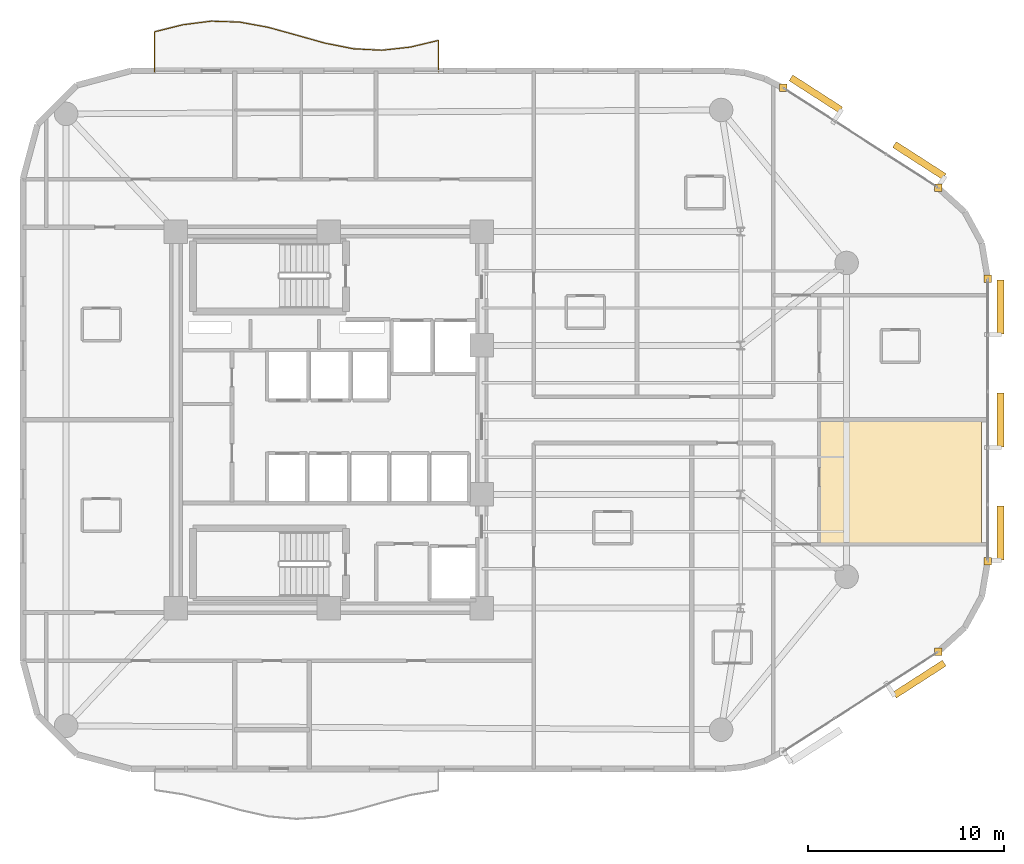
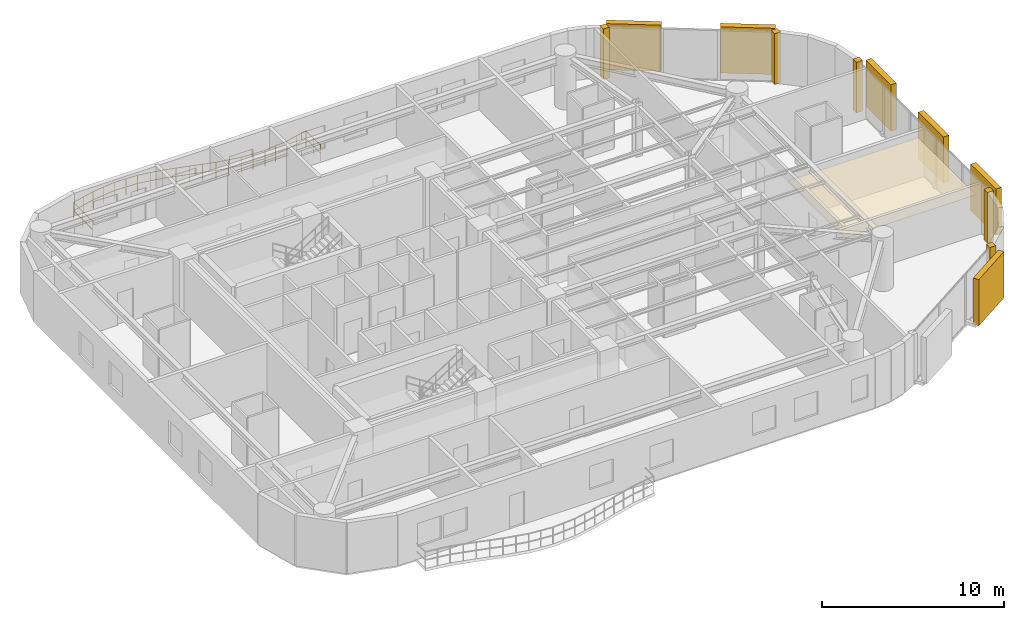
# One storey, part 15 of 15: 6 coverings, 6 shading devices, 1 railing.
"""IFC4 building model written with IfcOpenShell, lengths in metres."""

from ifc_helpers import new_model, si_unit, direction, frame, origin, origin_2d, place, context, subcontext, project, spatial, polyline, rectangle, circle, outline, extrude, material, layer, layer_set, type_object, element, save


model = new_model("IFC4")

# Units and contexts
model_context = context("Model", 3, precision=1e-05, world=origin(), true_north=direction((0.0, 1.0)))
body_context = subcontext(model_context, "Body", "Model", "MODEL_VIEW")
ifc_project = project(units=[si_unit("LENGTHUNIT", "METRE"), si_unit("AREAUNIT", "SQUARE_METRE"), si_unit("VOLUMEUNIT", "CUBIC_METRE"), si_unit("PLANEANGLEUNIT", "RADIAN"), si_unit("MASSUNIT", "GRAM", prefix="KILO")], contexts=[model_context])

# Site, building, storey
site_placement = place(None, origin())
site = spatial("IfcSite", under=ifc_project, at=site_placement, CompositionType="ELEMENT")
building_placement = place(site_placement, origin())
building = spatial("IfcBuilding", under=site, at=building_placement, Name="An Khanh Terracotta Commons", CompositionType="ELEMENT")
storey_placement = place(building_placement, frame((0.0, 0.0, 143.800048828125)))
storey = spatial("IfcBuildingStorey", under=building, at=storey_placement, Name="L37", CompositionType="ELEMENT", Elevation=143.800048828125)

# Coverings
ifc_material_1 = material(Name="Perforated Mineral-Fibre Acoustic Tile")
ifc_layer_1 = layer(ifc_material_1, 0.02001953125, Name="Perforated Mineral-Fibre Acoustic Tile")
ifc_layer_set_1 = layer_set([ifc_layer_1], Name="Perforated Mineral-Fibre Acoustic Tile")
covering_type_1 = type_object("IfcCoveringType", Name="CEIL-ACOUSTIC-18", PredefinedType="CEILING", material=ifc_layer_set_1)
covering_placement = place(storey_placement, frame((0.0, 0.0, 2.64990234375)))
element("IfcCovering", 1, at=covering_placement, inside=storey, type_object=covering_type_1, Name="L37 Riverfront Study Lounge Ceiling", PredefinedType="CEILING", context=body_context, shape_type="SweptSolid", body=[
    extrude(outline(polyline([(62.679931640625, 17.64990234375), (54.39990234375, 17.64990234375), (54.39990234375, 22.820068359375), (54.39990234375, 24.0), (62.679931640625, 24.0), (62.679931640625, 17.64990234375)])), origin(), (0.0, 0.0, 1.0), 0.02001953125),
])
ifc_material_2 = material(Name="Fired Terracotta Rainscreen Cladding", Category="masonry")
ifc_layer_2 = layer(ifc_material_2, 0.080078125, Name="Fired Terracotta Rainscreen Cladding")
ifc_layer_set_2 = layer_set([ifc_layer_2], Name="Fired Terracotta Rainscreen Cladding")
covering_type_2 = type_object("IfcCoveringType", Name="COV-JAMB-TERRA", PredefinedType="CLADDING", material=ifc_layer_set_2)
for number, where, z_axis, x_axis, name in (
    (2, (60.47802734375, 12.176025390625, 0.0), (0.0, 0.0, 1.0), (1.0, 0.0, 0.0), "L37 CW-03 Curtain-Wall Jamb Closure JB"),
    (3, (63.0, 16.800048828125, 0.0), (0.0, 0.0, 1.0), (1.0, 0.0, 0.0), "L37 CW-03 Curtain-Wall Jamb Closure JA"),
    (4, (63.0, 31.199951171875, 0.0), (0.0, 0.0, 1.0), (1.0, 0.0, 0.0), "L37 CW-03 Curtain-Wall Jamb Closure JB"),
    (5, (60.47802734375, 35.823974609375, 0.0), (0.0, 0.0, 1.0), (1.0, 0.0, 0.0), "L37 CW-03 Curtain-Wall Jamb Closure JA"),
    (6, (52.56005859375, 40.924072265625, 0.0), (0.0, 0.0, 1.0), (1.0, 0.0, 0.0), "L37 CW-03 Curtain-Wall Jamb Closure JB"),
):
    element("IfcCovering", number, at=place(storey_placement, frame(where, z_axis=z_axis, x_axis=x_axis)), inside=storey, type_object=covering_type_2, Name=name, PredefinedType="CLADDING", context=body_context, shape_type="SweptSolid", body=[
        extrude(rectangle(XDim=0.3798828125, YDim=0.3798828125, at=origin_2d()), origin(), (0.0, 0.0, 1.0), 3.39990234375),
    ])

# Railing
ifc_material_3 = material(Name="Brushed Stainless Steel 316", Category="steel")
railing_type = type_object("IfcRailingType", Name="RAIL-BALUSTRADE-1100", PredefinedType="BALUSTRADE", material=ifc_material_3)
railing_placement = place(storey_placement, frame((35.0, 41.739990234375, 0.0)))
element("IfcRailing", 7, at=railing_placement, inside=storey, type_object=railing_type, Name="L37 N Wave Balcony Guard Balustrade", PredefinedType="BALUSTRADE", context=body_context, shape_type="SweptSolid", body=[
    extrude(circle(Radius=0.02392578125, at=origin_2d()), frame((0.0, 0.0, 1.076171875), z_axis=(0.0, 1.0, 0.0), x_axis=(-1.0, 0.0, 0.0)), (0.0, 0.0, 1.0), 1.609130859375),
    extrude(circle(Radius=0.02392578125, at=origin_2d()), frame((0.0, 0.0, 0.52587890625), z_axis=(0.0, 1.0, 0.0), x_axis=(-1.0, 0.0, 0.0)), (0.0, 0.0, 1.0), 1.609130859375),
    extrude(circle(Radius=0.02392578125, at=origin_2d()), frame((0.0, 1.609130859375, 1.076171875), z_axis=(-0.972807972168, -0.231613145756, 0.0), x_axis=(0.231613145756, -0.972807972168, 0.0)), (0.0, 0.0, 1.0), 1.490478515625),
    extrude(circle(Radius=0.02392578125, at=origin_2d()), frame((0.0, 1.609130859375, 0.52587890625), z_axis=(-0.972807972168, -0.231613145756, 0.0), x_axis=(0.231613145756, -0.972807972168, 0.0)), (0.0, 0.0, 1.0), 1.490478515625),
    extrude(circle(Radius=0.02392578125, at=origin_2d()), frame((-1.449951171875, 1.263916015625, 1.076171875), z_axis=(-0.993973210964, -0.10962324519, 0.0), x_axis=(0.10962324519, -0.993973210964, 0.0)), (0.0, 0.0, 1.0), 1.458740234375),
    extrude(circle(Radius=0.02392578125, at=origin_2d()), frame((-1.449951171875, 1.263916015625, 0.52587890625), z_axis=(-0.993973210964, -0.10962324519, 0.0), x_axis=(0.10962324519, -0.993973210964, 0.0)), (0.0, 0.0, 1.0), 1.458740234375),
    extrude(circle(Radius=0.02392578125, at=origin_2d()), frame((-2.89990234375, 1.10400390625, 1.076171875), z_axis=(-0.998632188876, 0.052285288003, 0.0), x_axis=(-0.052285288003, -0.998632188876, 0.0)), (0.0, 0.0, 1.0), 1.4521484375),
    extrude(circle(Radius=0.02392578125, at=origin_2d()), frame((-2.89990234375, 1.10400390625, 0.52587890625), z_axis=(-0.998632188876, 0.052285288003, 0.0), x_axis=(-0.052285288003, -0.998632188876, 0.0)), (0.0, 0.0, 1.0), 1.4521484375),
    extrude(circle(Radius=0.02392578125, at=origin_2d()), frame((-4.35009765625, 1.179931640625, 1.076171875), z_axis=(-0.98095369717, 0.194241715419, 0.0), x_axis=(-0.194241715419, -0.98095369717, 0.0)), (0.0, 0.0, 1.0), 1.47802734375),
    extrude(circle(Radius=0.02392578125, at=origin_2d()), frame((-4.35009765625, 1.179931640625, 0.52587890625), z_axis=(-0.98095369717, 0.194241715419, 0.0), x_axis=(-0.194241715419, -0.98095369717, 0.0)), (0.0, 0.0, 1.0), 1.47802734375),
    extrude(circle(Radius=0.02392578125, at=origin_2d()), frame((-5.800048828125, 1.467041015625, 1.076171875), z_axis=(-0.96262321196, 0.270844146689, 0.0), x_axis=(-0.270844146689, -0.96262321196, 0.0)), (0.0, 0.0, 1.0), 1.50634765625),
    extrude(circle(Radius=0.02392578125, at=origin_2d()), frame((-5.800048828125, 1.467041015625, 0.52587890625), z_axis=(-0.96262321196, 0.270844146689, 0.0), x_axis=(-0.270844146689, -0.96262321196, 0.0)), (0.0, 0.0, 1.0), 1.50634765625),
    extrude(circle(Radius=0.02392578125, at=origin_2d()), frame((-7.25, 1.875, 1.076171875), z_axis=(-0.964006965361, 0.265876984216, 0.0), x_axis=(-0.265876984216, -0.964006965361, 0.0)), (0.0, 0.0, 1.0), 1.504150390625),
    extrude(circle(Radius=0.02392578125, at=origin_2d()), frame((-7.25, 1.875, 0.52587890625), z_axis=(-0.964006965361, 0.265876984216, 0.0), x_axis=(-0.265876984216, -0.964006965361, 0.0)), (0.0, 0.0, 1.0), 1.504150390625),
    extrude(circle(Radius=0.02392578125, at=origin_2d()), frame((-8.699951171875, 2.27490234375, 1.076171875), z_axis=(-0.983571778756, 0.180517467393, 0.0), x_axis=(-0.180517467393, -0.983571778756, 0.0)), (0.0, 0.0, 1.0), 1.47412109375),
    extrude(circle(Radius=0.02392578125, at=origin_2d()), frame((-8.699951171875, 2.27490234375, 0.52587890625), z_axis=(-0.983571778756, 0.180517467393, 0.0), x_axis=(-0.180517467393, -0.983571778756, 0.0)), (0.0, 0.0, 1.0), 1.47412109375),
    extrude(circle(Radius=0.02392578125, at=origin_2d()), frame((-10.14990234375, 2.541015625, 1.076171875), z_axis=(-0.999450495211, 0.033146758848, 0.0), x_axis=(-0.033146758848, -0.999450495211, 0.0)), (0.0, 0.0, 1.0), 1.450927734375),
    extrude(circle(Radius=0.02392578125, at=origin_2d()), frame((-10.14990234375, 2.541015625, 0.52587890625), z_axis=(-0.999450495211, 0.033146758848, 0.0), x_axis=(-0.033146758848, -0.999450495211, 0.0)), (0.0, 0.0, 1.0), 1.450927734375),
    extrude(circle(Radius=0.02392578125, at=origin_2d()), frame((-11.60009765625, 2.589111328125, 1.076171875), z_axis=(-0.991953350316, -0.126603913039, 0.0), x_axis=(0.126603913039, -0.991953350316, 0.0)), (0.0, 0.0, 1.0), 1.461669921875),
    extrude(circle(Radius=0.02392578125, at=origin_2d()), frame((-11.60009765625, 2.589111328125, 0.52587890625), z_axis=(-0.991953350316, -0.126603913039, 0.0), x_axis=(0.126603913039, -0.991953350316, 0.0)), (0.0, 0.0, 1.0), 1.461669921875),
    extrude(circle(Radius=0.02392578125, at=origin_2d()), frame((-13.050048828125, 2.404052734375, 1.076171875), z_axis=(-0.970516232323, -0.241035770782, 0.0), x_axis=(0.241035770782, -0.970516232323, 0.0)), (0.0, 0.0, 1.0), 1.493896484375),
    extrude(circle(Radius=0.02392578125, at=origin_2d()), frame((-13.050048828125, 2.404052734375, 0.52587890625), z_axis=(-0.970516232323, -0.241035770782, 0.0), x_axis=(0.241035770782, -0.970516232323, 0.0)), (0.0, 0.0, 1.0), 1.493896484375),
    extrude(circle(Radius=0.02392578125, at=origin_2d()), frame((-14.5, 2.0439453125, 1.076171875), z_axis=(0.0, -1.0, 0.0), x_axis=(1.0, 0.0, 0.0)), (0.0, 0.0, 1.0), 2.0439453125),
    extrude(circle(Radius=0.02392578125, at=origin_2d()), frame((-14.5, 2.0439453125, 0.52587890625), z_axis=(0.0, -1.0, 0.0), x_axis=(1.0, 0.0, 0.0)), (0.0, 0.0, 1.0), 2.0439453125),
    extrude(circle(Radius=0.02099609375, at=origin_2d()), origin(), (0.0, 0.0, 1.0), 1.052001953125),
    extrude(circle(Radius=0.02099609375, at=origin_2d()), frame((0.0, 0.8046875, 0.0)), (0.0, 0.0, 1.0), 1.052001953125),
    extrude(circle(Radius=0.02099609375, at=origin_2d()), frame((0.0, 1.609130859375, 0.0)), (0.0, 0.0, 1.0), 1.052001953125),
    extrude(circle(Radius=0.02099609375, at=origin_2d()), frame((-0.72509765625, 1.4365234375, 0.0)), (0.0, 0.0, 1.0), 1.052001953125),
    extrude(circle(Radius=0.02099609375, at=origin_2d()), frame((-1.449951171875, 1.263916015625, 0.0)), (0.0, 0.0, 1.0), 1.052001953125),
    extrude(circle(Radius=0.02099609375, at=origin_2d()), frame((-2.1748046875, 1.18408203125, 0.0)), (0.0, 0.0, 1.0), 1.052001953125),
    extrude(circle(Radius=0.02099609375, at=origin_2d()), frame((-2.89990234375, 1.10400390625, 0.0)), (0.0, 0.0, 1.0), 1.052001953125),
    extrude(circle(Radius=0.02099609375, at=origin_2d()), frame((-3.625, 1.14208984375, 0.0)), (0.0, 0.0, 1.0), 1.052001953125),
    extrude(circle(Radius=0.02099609375, at=origin_2d()), frame((-4.35009765625, 1.179931640625, 0.0)), (0.0, 0.0, 1.0), 1.052001953125),
    extrude(circle(Radius=0.02099609375, at=origin_2d()), frame((-5.0751953125, 1.323486328125, 0.0)), (0.0, 0.0, 1.0), 1.052001953125),
    extrude(circle(Radius=0.02099609375, at=origin_2d()), frame((-5.800048828125, 1.467041015625, 0.0)), (0.0, 0.0, 1.0), 1.052001953125),
    extrude(circle(Radius=0.02099609375, at=origin_2d()), frame((-6.52490234375, 1.6708984375, 0.0)), (0.0, 0.0, 1.0), 1.052001953125),
    extrude(circle(Radius=0.02099609375, at=origin_2d()), frame((-7.25, 1.875, 0.0)), (0.0, 0.0, 1.0), 1.052001953125),
    extrude(circle(Radius=0.02099609375, at=origin_2d()), frame((-7.97509765625, 2.074951171875, 0.0)), (0.0, 0.0, 1.0), 1.052001953125),
    extrude(circle(Radius=0.02099609375, at=origin_2d()), frame((-8.699951171875, 2.27490234375, 0.0)), (0.0, 0.0, 1.0), 1.052001953125),
    extrude(circle(Radius=0.02099609375, at=origin_2d()), frame((-9.4248046875, 2.407958984375, 0.0)), (0.0, 0.0, 1.0), 1.052001953125),
    extrude(circle(Radius=0.02099609375, at=origin_2d()), frame((-10.14990234375, 2.541015625, 0.0)), (0.0, 0.0, 1.0), 1.052001953125),
    extrude(circle(Radius=0.02099609375, at=origin_2d()), frame((-10.875, 2.56494140625, 0.0)), (0.0, 0.0, 1.0), 1.052001953125),
    extrude(circle(Radius=0.02099609375, at=origin_2d()), frame((-11.60009765625, 2.589111328125, 0.0)), (0.0, 0.0, 1.0), 1.052001953125),
    extrude(circle(Radius=0.02099609375, at=origin_2d()), frame((-12.3251953125, 2.49658203125, 0.0)), (0.0, 0.0, 1.0), 1.052001953125),
    extrude(circle(Radius=0.02099609375, at=origin_2d()), frame((-13.050048828125, 2.404052734375, 0.0)), (0.0, 0.0, 1.0), 1.052001953125),
    extrude(circle(Radius=0.02099609375, at=origin_2d()), frame((-13.77490234375, 2.22412109375, 0.0)), (0.0, 0.0, 1.0), 1.052001953125),
    extrude(circle(Radius=0.02099609375, at=origin_2d()), frame((-14.5, 2.0439453125, 0.0)), (0.0, 0.0, 1.0), 1.052001953125),
    extrude(circle(Radius=0.02099609375, at=origin_2d()), frame((-14.5, 1.02197265625, 0.0)), (0.0, 0.0, 1.0), 1.052001953125),
    extrude(circle(Radius=0.02099609375, at=origin_2d()), frame((-14.5, 0.0, 0.0)), (0.0, 0.0, 1.0), 1.052001953125),
])

# Shading devices
ifc_material_4 = material(Name="Extruded Fired Terracotta", Category="masonry")
shading_device_type = type_object("IfcShadingDeviceType", Name="Terracotta Baguette Screen Assembly", PredefinedType="USERDEFINED", material=ifc_material_4)
shading_device_placement = place(storey_placement, frame((59.510009765625, 10.780029296875, 0.14990234375), z_axis=(0.0, 0.0, 1.0), x_axis=(0.840702081986, 0.541497931062, 0.0)))
element("IfcShadingDevice", 8, at=shading_device_placement, inside=storey, type_object=shading_device_type, Name="L37 Terracotta Baguette Screen 3", ObjectType="BAGUETTE", PredefinedType="USERDEFINED", context=body_context, shape_type="SweptSolid", body=[
    extrude(rectangle(XDim=3.01904296875, YDim=0.35009765625, at=origin_2d()), origin(), (0.0, 0.0, 1.0), 3.10009765625),
])
for number, where, z_axis, x_axis, name in (
    (9, (63.64990234375, 18.239990234375, 0.14990234375), (0.0, 0.0, 1.0), (0.0, 1.0, 0.0), "L37 Terracotta Baguette Screen 1"),
    (10, (63.64990234375, 24.0, 0.14990234375), (0.0, 0.0, 1.0), (0.0, 1.0, 0.0), "L37 Terracotta Baguette Screen 3"),
    (11, (63.64990234375, 29.760009765625, 0.14990234375), (0.0, 0.0, 1.0), (0.0, 1.0, 0.0), "L37 Terracotta Baguette Screen 5"),
):
    element("IfcShadingDevice", number, at=place(storey_placement, frame(where, z_axis=z_axis, x_axis=x_axis)), inside=storey, type_object=shading_device_type, Name=name, ObjectType="BAGUETTE", PredefinedType="USERDEFINED", context=body_context, shape_type="SweptSolid", body=[
        extrude(rectangle(XDim=2.760009765625, YDim=0.35009765625, at=origin_2d()), origin(), (0.0, 0.0, 1.0), 3.10009765625),
    ])
for number, where, z_axis, x_axis, name in (
    (12, (59.510009765625, 37.219970703125, 0.14990234375), (0.0, 0.0, 1.0), (-0.840702081986, 0.541497931062, 0.0), "L37 Terracotta Baguette Screen 1"),
    (13, (54.23193359375, 40.6201171875, 0.14990234375), (0.0, 0.0, 1.0), (-0.840702081986, 0.541497931062, 0.0), "L37 Terracotta Baguette Screen 3"),
):
    element("IfcShadingDevice", number, at=place(storey_placement, frame(where, z_axis=z_axis, x_axis=x_axis)), inside=storey, type_object=shading_device_type, Name=name, ObjectType="BAGUETTE", PredefinedType="USERDEFINED", context=body_context, shape_type="SweptSolid", body=[
        extrude(rectangle(XDim=3.01904296875, YDim=0.35009765625, at=origin_2d()), origin(), (0.0, 0.0, 1.0), 3.10009765625),
    ])

save(model, "model.ifc")
